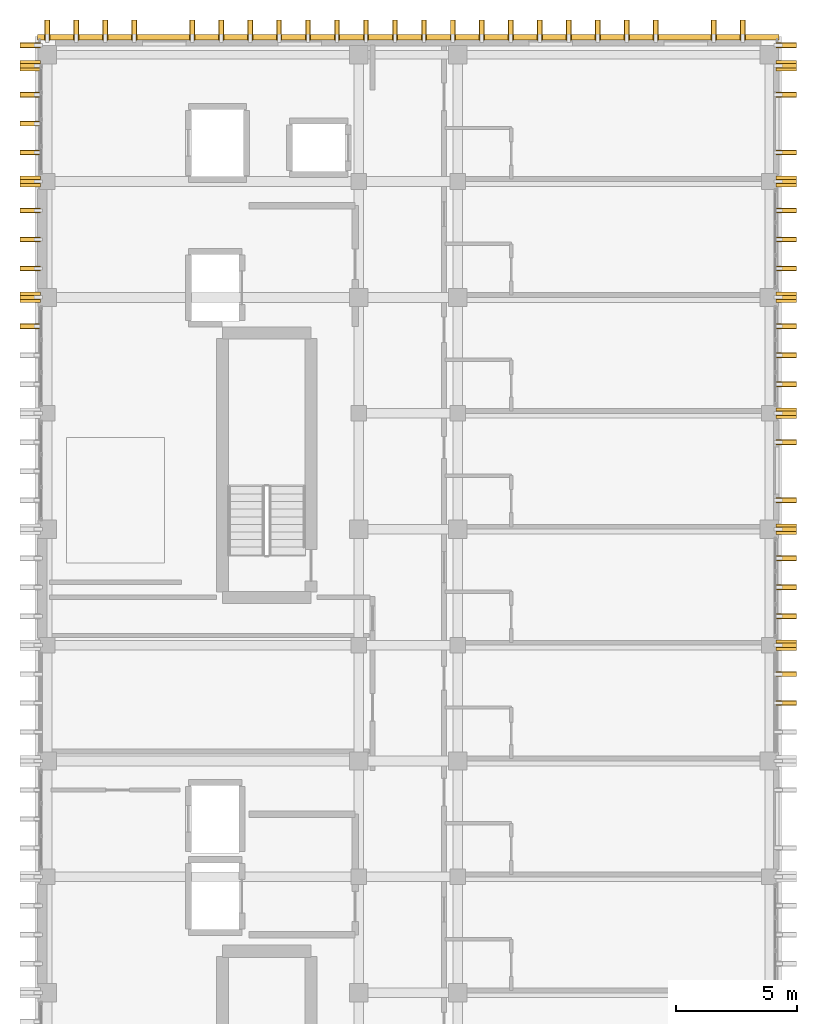
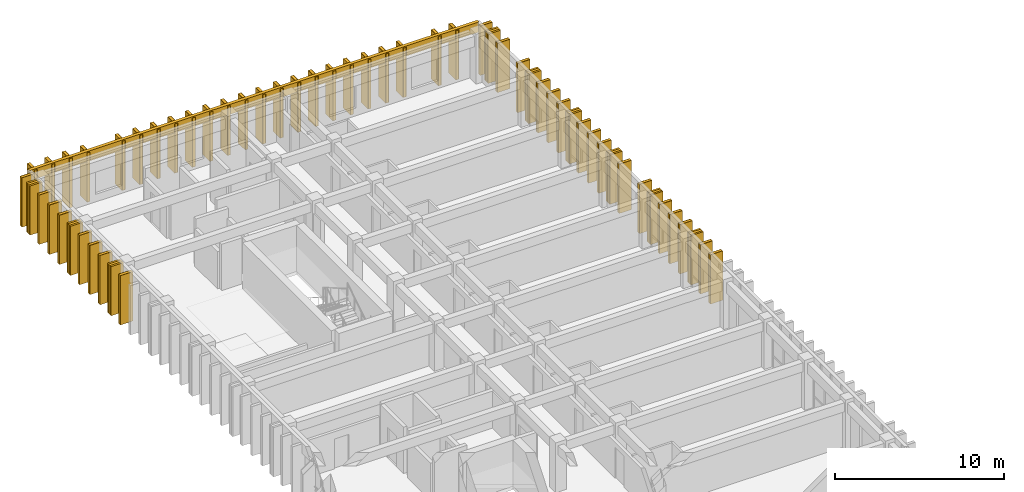
# One storey, part 64 of 64: 57 coverings, 56 shading devices.
"""IFC4 building model written with IfcOpenShell, lengths in metres."""

import ifcopenshell
import ifcopenshell.guid

model = None  # the IFC model being written
_history = None  # IfcOwnerHistory: only IFC2X3 demands one
_inside = {}  # id of a spatial element -> (the spatial element, [elements in it])
_under = {}  # id of a project, library or spatial element -> (it, [spatial elements below it])
_declared = {}  # id of a project -> (the project, [libraries it declares])
_typed = {}  # id of a type object -> (the type object, [elements of that type])
_made_of = {}  # id of a material, layer set ... -> (it, [elements and type objects made of it])


def new_model(schema):
    """Start an empty IFC model of exactly this schema.

    Asked for "IFC4X3", IfcOpenShell would pick the latest addendum, in which some entities
    have other attributes; the version numbers below select the first issue.
    IFC2X3 requires an IfcOwnerHistory on every rooted entity: one is made here for all.
    """
    global model, _history
    if schema == "IFC4X3":
        model = ifcopenshell.file(schema_version=(4, 3, 0, 0))
    else:
        model = ifcopenshell.file(schema=schema)
    _inside.clear()
    _under.clear()
    _declared.clear()
    _typed.clear()
    _made_of.clear()
    _history = None
    if model.schema == "IFC2X3":
        org = make("IfcOrganization", Name="unknown")
        user = make(
            "IfcPersonAndOrganization",
            ThePerson=make("IfcPerson", FamilyName="unknown"),
            TheOrganization=org,
        )
        app = make(
            "IfcApplication",
            ApplicationDeveloper=org,
            Version="unknown",
            ApplicationFullName="unknown",
            ApplicationIdentifier="unknown",
        )
        _history = make(
            "IfcOwnerHistory",
            OwningUser=user,
            OwningApplication=app,
            ChangeAction="ADDED",
            CreationDate=0,
        )
    return model


def make(cls, **values):
    """One entity of the class cls with the attributes given. An attribute that is None is left unset."""
    return model.create_entity(
        cls, **{name: value for name, value in values.items() if value is not None}
    )


def rooted(cls, **values):
    """An entity with a GlobalId (a new one), such as an element, a storey or a relation."""
    return make(cls, GlobalId=ifcopenshell.guid.new(), OwnerHistory=_history, **values)


def si_unit(unit_type, name, prefix=None):
    """IfcSIUnit, for example si_unit("LENGTHUNIT", "METRE", prefix="MILLI")."""
    return make("IfcSIUnit", UnitType=unit_type, Prefix=prefix, Name=name)


def assignment(units):
    """IfcUnitAssignment: the units of a project."""
    return None if units is None else make("IfcUnitAssignment", Units=units)


def point(xyz):
    """IfcCartesianPoint."""
    return None if xyz is None else make("IfcCartesianPoint", Coordinates=xyz)


def direction(xyz):
    """IfcDirection."""
    return None if xyz is None else make("IfcDirection", DirectionRatios=xyz)


def frame(location, z_axis=None, x_axis=None):
    """IfcAxis2Placement3D, a coordinate frame: its origin and axes. An axis left out is left unset."""
    return make(
        "IfcAxis2Placement3D",
        Location=point(location),
        Axis=direction(z_axis),
        RefDirection=direction(x_axis),
    )


def frame_2d(location, x_axis=None):
    """IfcAxis2Placement2D, a coordinate frame in the plane: its origin and x axis."""
    return make(
        "IfcAxis2Placement2D", Location=point(location), RefDirection=direction(x_axis)
    )


def origin():
    """The frame at (0, 0, 0) with its axes left unset."""
    return frame((0.0, 0.0, 0.0))


def origin_2d():
    """The frame at (0, 0) in the plane with its x axis left unset."""
    return frame_2d((0.0, 0.0))


def place(relative_to, where):
    """IfcLocalPlacement: puts the frame where relative to a parent placement (None: the world)."""
    return make(
        "IfcLocalPlacement", PlacementRelTo=relative_to, RelativePlacement=where
    )


def context(
    kind, dimensions, precision=None, world=None, true_north=None, identifier=None
):
    """IfcGeometricRepresentationContext, for example the 3D "Model" context."""
    return make(
        "IfcGeometricRepresentationContext",
        ContextIdentifier=identifier,
        ContextType=kind,
        CoordinateSpaceDimension=dimensions,
        Precision=precision,
        WorldCoordinateSystem=world,
        TrueNorth=true_north,
    )


def subcontext(parent, identifier, kind, view, scale=None):
    """IfcGeometricRepresentationSubContext, for example "Body" below "Model"."""
    return make(
        "IfcGeometricRepresentationSubContext",
        ContextIdentifier=identifier,
        ContextType=kind,
        ParentContext=parent,
        TargetScale=scale,
        TargetView=view,
    )


def project(units=None, contexts=None):
    """IfcProject with its units and contexts."""
    return rooted(
        "IfcProject",
        Name="project",
        RepresentationContexts=contexts,
        UnitsInContext=assignment(units),
    )


def spatial(cls, under=None, at=None, **own):
    """A site, building, storey or space (cls), placed at a placement, below another one or the project."""
    s = rooted(cls, ObjectPlacement=at, **own)
    if under is not None:
        _under.setdefault(under.id(), (under, []))[1].append(s)
    return s


def profile(cls, at=None, kind="AREA", **sizes):
    """A parametric profile (cls). Its sizes go by their IFC names, for example OverallWidth=200.0."""
    return make(cls, ProfileType=kind, Position=at, **sizes)


def rectangle(**sizes):
    """IfcRectangleProfileDef."""
    return profile("IfcRectangleProfileDef", **sizes)


def extrude(swept, where, along, depth):
    """IfcExtrudedAreaSolid: the profile swept, set in the frame where, extruded along a direction by depth."""
    return make(
        "IfcExtrudedAreaSolid",
        SweptArea=swept,
        Position=where,
        ExtrudedDirection=direction(along),
        Depth=depth,
    )


def shape(context_of_items, identifier, shape_type, items):
    """IfcShapeRepresentation: the items that make up one representation, for example the "Body"."""
    return make(
        "IfcShapeRepresentation",
        ContextOfItems=context_of_items,
        RepresentationIdentifier=identifier,
        RepresentationType=shape_type,
        Items=items,
    )


def material(Name=None, Category=None):
    """IfcMaterial."""
    return make("IfcMaterial", Name=Name, Category=Category)


def layer(
    of_material, thickness, ventilated=None, Name=None, Category=None, Priority=None
):
    """IfcMaterialLayer: one layer of a wall or slab, of a material (None: an air gap)."""
    return make(
        "IfcMaterialLayer",
        Material=of_material,
        LayerThickness=thickness,
        IsVentilated=ventilated,
        Name=Name,
        Category=Category,
        Priority=Priority,
    )


def layer_set(layers, Name=None):
    """IfcMaterialLayerSet."""
    return make("IfcMaterialLayerSet", MaterialLayers=layers, LayerSetName=Name)


def made_of(thing, what):
    """Note that an element or type object is made of a material, layer set ...; save() writes the relation."""
    if what is not None:
        _made_of.setdefault(what.id(), (what, []))[1].append(thing)
    return thing


def type_object(cls, material=None, **own):
    """A type object (cls), such as IfcWallType, which elements share."""
    return made_of(rooted(cls, **own), material)


def element(
    cls,
    number,
    at=None,
    inside=None,
    cuts=None,
    type_object=None,
    material=None,
    context=None,
    identifier="Body",
    shape_type=None,
    held_by="IfcProductDefinitionShape",
    body=None,
    shapes=None,
    **own,
):
    """One element of the class cls, such as IfcWall. Its Tag is "e" and its number.

    at: its placement. inside: the storey or other place that contains it. cuts: it is an
    opening in that element (IfcRelVoidsElement). A single representation is given by context,
    identifier, shape_type and body (its items); several are given by shapes. held_by: the class
    of the entity that holds the representations. save() writes the other relations.
    """
    e = rooted(cls, Tag="e%d" % number, ObjectPlacement=at, **own)
    if body is not None:
        shapes = [shape(context, identifier, shape_type, body)]
    if shapes is not None:
        e.Representation = make(held_by, Representations=shapes)
    if inside is not None:
        _inside.setdefault(inside.id(), (inside, []))[1].append(e)
    if cuts is not None:
        rooted(
            "IfcRelVoidsElement", RelatingBuildingElement=cuts, RelatedOpeningElement=e
        )
    if type_object is not None:
        _typed.setdefault(type_object.id(), (type_object, []))[1].append(e)
    return made_of(e, material)


def aggregate(whole, parts):
    """IfcRelAggregates: a whole, such as a stair, and the parts it consists of."""
    return rooted("IfcRelAggregates", RelatingObject=whole, RelatedObjects=parts)


def save(model, path):
    """Write the relations noted so far, then the file.

    IfcRelAggregates (storeys below a building ...), IfcRelContainedInSpatialStructure (elements
    in a storey), IfcRelDefinesByType, IfcRelAssociatesMaterial and IfcRelDeclares: one each for
    every whole, place, type object, material and project.
    """
    for whole, parts in _under.values():
        aggregate(whole, parts)
    for where, things in _inside.values():
        rooted(
            "IfcRelContainedInSpatialStructure",
            RelatedElements=things,
            RelatingStructure=where,
        )
    for kind, things in _typed.values():
        rooted("IfcRelDefinesByType", RelatedObjects=things, RelatingType=kind)
    for what, things in _made_of.values():
        rooted("IfcRelAssociatesMaterial", RelatedObjects=things, RelatingMaterial=what)
    for by, libraries in _declared.values():
        rooted("IfcRelDeclares", RelatingContext=by, RelatedDefinitions=libraries)
    model.write(path)


model = new_model("IFC4")

# Units and contexts
model_context = context("Model", 3, precision=1e-05, world=origin(), true_north=direction((0.0, 1.0)))
body_context = subcontext(model_context, "Body", "Model", "MODEL_VIEW")
ifc_project = project(units=[si_unit("LENGTHUNIT", "METRE"), si_unit("AREAUNIT", "SQUARE_METRE"), si_unit("VOLUMEUNIT", "CUBIC_METRE"), si_unit("PLANEANGLEUNIT", "RADIAN"), si_unit("MASSUNIT", "GRAM", prefix="KILO")], contexts=[model_context])

# Site, building, storey
site_placement = place(None, origin())
site = spatial("IfcSite", under=ifc_project, at=site_placement, CompositionType="ELEMENT")
building_placement = place(site_placement, origin())
building = spatial("IfcBuilding", under=site, at=building_placement, Name="Nakhvara Creek Congress Hotel", CompositionType="ELEMENT")
storey_placement = place(building_placement, frame((0.0, 0.0, 28.199951171875)))
storey = spatial("IfcBuildingStorey", under=building, at=storey_placement, Name="L06", CompositionType="ELEMENT", Elevation=28.199951171875)

# Coverings
ifc_material_1 = material(Name="Honed pale Omani limestone architectural cladding", Category="masonry")
ifc_layer_1 = layer(ifc_material_1, 0.219970703125)
ifc_layer_set_1 = layer_set([ifc_layer_1], Name="Honed pale Omani limestone architectural cladding")
covering_type_1 = type_object("IfcCoveringType", Name="COV-FIN-850", PredefinedType="CLADDING", material=ifc_layer_set_1)
for number, where, z_axis, x_axis, name in (
    (1, (180.054931640625, 98.39990234375, 0.0), (0.0, 0.0, 1.0), (0.0, 1.0, 0.0), "Pale Limestone Fin Cladding CF01-1714"),
    (2, (180.054931640625, 99.60009765625, 0.0), (0.0, 0.0, 1.0), (0.0, 1.0, 0.0), "Pale Limestone Fin Cladding CF01-1716"),
):
    element("IfcCovering", number, at=place(storey_placement, frame(where, z_axis=z_axis, x_axis=x_axis)), inside=storey, type_object=covering_type_1, Name=name, PredefinedType="CLADDING", context=body_context, shape_type="SweptSolid", body=[
        extrude(rectangle(XDim=0.219970703125, YDim=0.85009765625, at=origin_2d()), origin(), (0.0, 0.0, 1.0), 3.56005859375),
    ])
covering_1_placement = place(storey_placement, frame((180.054931640625, 100.800048828125, 0.0), z_axis=(0.0, 0.0, 1.0), x_axis=(0.0, 1.0, 0.0)))
element("IfcCovering", 3, at=covering_1_placement, inside=storey, type_object=covering_type_1, Name="Pale Limestone Fin Cladding CF01-1718", PredefinedType="CLADDING", context=body_context, shape_type="SweptSolid", body=[
    extrude(rectangle(XDim=0.43994140625, YDim=0.85009765625, at=origin_2d()), origin(), (0.0, 0.0, 1.0), 3.56005859375),
])
for number, where, z_axis, x_axis, name in (
    (4, (180.054931640625, 102.0, 0.0), (0.0, 0.0, 1.0), (0.0, 1.0, 0.0), "Pale Limestone Fin Cladding CF01-1720"),
    (5, (180.054931640625, 103.199951171875, 0.0), (0.0, 0.0, 1.0), (0.0, 1.0, 0.0), "Pale Limestone Fin Cladding CF01-1722"),
    (6, (180.054931640625, 104.39990234375, 0.0), (0.0, 0.0, 1.0), (0.0, 1.0, 0.0), "Pale Limestone Fin Cladding CF01-1724"),
):
    element("IfcCovering", number, at=place(storey_placement, frame(where, z_axis=z_axis, x_axis=x_axis)), inside=storey, type_object=covering_type_1, Name=name, PredefinedType="CLADDING", context=body_context, shape_type="SweptSolid", body=[
        extrude(rectangle(XDim=0.219970703125, YDim=0.85009765625, at=origin_2d()), origin(), (0.0, 0.0, 1.0), 3.56005859375),
    ])
covering_2_placement = place(storey_placement, frame((180.054931640625, 105.60009765625, 0.0), z_axis=(0.0, 0.0, 1.0), x_axis=(0.0, 1.0, 0.0)))
element("IfcCovering", 7, at=covering_2_placement, inside=storey, type_object=covering_type_1, Name="Pale Limestone Fin Cladding CF01-1726", PredefinedType="CLADDING", context=body_context, shape_type="SweptSolid", body=[
    extrude(rectangle(XDim=0.43994140625, YDim=0.85009765625, at=origin_2d()), origin(), (0.0, 0.0, 1.0), 3.56005859375),
])
for number, where, z_axis, x_axis, name in (
    (8, (180.054931640625, 106.800048828125, 0.0), (0.0, 0.0, 1.0), (0.0, 1.0, 0.0), "Pale Limestone Fin Cladding CF01-1728"),
    (9, (180.054931640625, 109.199951171875, 0.0), (0.0, 0.0, 1.0), (0.0, 1.0, 0.0), "Pale Limestone Fin Cladding CF01-1731"),
):
    element("IfcCovering", number, at=place(storey_placement, frame(where, z_axis=z_axis, x_axis=x_axis)), inside=storey, type_object=covering_type_1, Name=name, PredefinedType="CLADDING", context=body_context, shape_type="SweptSolid", body=[
        extrude(rectangle(XDim=0.219970703125, YDim=0.85009765625, at=origin_2d()), origin(), (0.0, 0.0, 1.0), 3.56005859375),
    ])
covering_3_placement = place(storey_placement, frame((180.054931640625, 110.39990234375, 0.0), z_axis=(0.0, 0.0, 1.0), x_axis=(0.0, 1.0, 0.0)))
element("IfcCovering", 10, at=covering_3_placement, inside=storey, type_object=covering_type_1, Name="Pale Limestone Fin Cladding CF01-1733", PredefinedType="CLADDING", context=body_context, shape_type="SweptSolid", body=[
    extrude(rectangle(XDim=0.43994140625, YDim=0.85009765625, at=origin_2d()), origin(), (0.0, 0.0, 1.0), 3.56005859375),
])
for number, where, z_axis, x_axis, name in (
    (11, (180.054931640625, 111.60009765625, 0.0), (0.0, 0.0, 1.0), (0.0, 1.0, 0.0), "Pale Limestone Fin Cladding CF01-1735"),
    (12, (180.054931640625, 112.800048828125, 0.0), (0.0, 0.0, 1.0), (0.0, 1.0, 0.0), "Pale Limestone Fin Cladding CF01-1737"),
    (13, (180.054931640625, 114.0, 0.0), (0.0, 0.0, 1.0), (0.0, 1.0, 0.0), "Pale Limestone Fin Cladding CF01-1739"),
    (14, (148.7451171875, 114.0, 0.0), (0.0, 0.0, 1.0), (0.0, 1.0, 0.0), "Pale Limestone Fin Cladding CF01-1740"),
):
    element("IfcCovering", number, at=place(storey_placement, frame(where, z_axis=z_axis, x_axis=x_axis)), inside=storey, type_object=covering_type_1, Name=name, PredefinedType="CLADDING", context=body_context, shape_type="SweptSolid", body=[
        extrude(rectangle(XDim=0.219970703125, YDim=0.85009765625, at=origin_2d()), origin(), (0.0, 0.0, 1.0), 3.56005859375),
    ])
for number, where, z_axis, x_axis, name in (
    (15, (180.054931640625, 115.199951171875, 0.0), (0.0, 0.0, 1.0), (0.0, 1.0, 0.0), "Pale Limestone Fin Cladding CF01-1741"),
    (16, (148.7451171875, 115.199951171875, 0.0), (0.0, 0.0, 1.0), (0.0, 1.0, 0.0), "Pale Limestone Fin Cladding CF01-1742"),
):
    element("IfcCovering", number, at=place(storey_placement, frame(where, z_axis=z_axis, x_axis=x_axis)), inside=storey, type_object=covering_type_1, Name=name, PredefinedType="CLADDING", context=body_context, shape_type="SweptSolid", body=[
        extrude(rectangle(XDim=0.43994140625, YDim=0.85009765625, at=origin_2d()), origin(), (0.0, 0.0, 1.0), 3.56005859375),
    ])
for number, where, z_axis, x_axis, name in (
    (17, (180.054931640625, 116.39990234375, 0.0), (0.0, 0.0, 1.0), (0.0, 1.0, 0.0), "Pale Limestone Fin Cladding CF01-1743"),
    (18, (148.7451171875, 116.39990234375, 0.0), (0.0, 0.0, 1.0), (0.0, 1.0, 0.0), "Pale Limestone Fin Cladding CF01-1744"),
    (19, (180.054931640625, 117.60009765625, 0.0), (0.0, 0.0, 1.0), (0.0, 1.0, 0.0), "Pale Limestone Fin Cladding CF01-1745"),
    (20, (148.7451171875, 117.60009765625, 0.0), (0.0, 0.0, 1.0), (0.0, 1.0, 0.0), "Pale Limestone Fin Cladding CF01-1746"),
    (21, (180.054931640625, 118.800048828125, 0.0), (0.0, 0.0, 1.0), (0.0, 1.0, 0.0), "Pale Limestone Fin Cladding CF01-1747"),
    (22, (148.7451171875, 118.800048828125, 0.0), (0.0, 0.0, 1.0), (0.0, 1.0, 0.0), "Pale Limestone Fin Cladding CF01-1748"),
):
    element("IfcCovering", number, at=place(storey_placement, frame(where, z_axis=z_axis, x_axis=x_axis)), inside=storey, type_object=covering_type_1, Name=name, PredefinedType="CLADDING", context=body_context, shape_type="SweptSolid", body=[
        extrude(rectangle(XDim=0.219970703125, YDim=0.85009765625, at=origin_2d()), origin(), (0.0, 0.0, 1.0), 3.56005859375),
    ])
for number, where, z_axis, x_axis, name in (
    (23, (180.054931640625, 120.0, 0.0), (0.0, 0.0, 1.0), (0.0, 1.0, 0.0), "Pale Limestone Fin Cladding CF01-1749"),
    (24, (148.7451171875, 120.0, 0.0), (0.0, 0.0, 1.0), (0.0, 1.0, 0.0), "Pale Limestone Fin Cladding CF01-1750"),
):
    element("IfcCovering", number, at=place(storey_placement, frame(where, z_axis=z_axis, x_axis=x_axis)), inside=storey, type_object=covering_type_1, Name=name, PredefinedType="CLADDING", context=body_context, shape_type="SweptSolid", body=[
        extrude(rectangle(XDim=0.43994140625, YDim=0.85009765625, at=origin_2d()), origin(), (0.0, 0.0, 1.0), 3.56005859375),
    ])
for number, where, z_axis, x_axis, name in (
    (25, (180.054931640625, 121.199951171875, 0.0), (0.0, 0.0, 1.0), (0.0, 1.0, 0.0), "Pale Limestone Fin Cladding CF01-1751"),
    (26, (148.7451171875, 121.199951171875, 0.0), (0.0, 0.0, 1.0), (0.0, 1.0, 0.0), "Pale Limestone Fin Cladding CF01-1752"),
    (27, (148.7451171875, 122.39990234375, 0.0), (0.0, 0.0, 1.0), (0.0, 1.0, 0.0), "Pale Limestone Fin Cladding CF01-1753"),
    (28, (180.054931640625, 123.60009765625, 0.0), (0.0, 0.0, 1.0), (0.0, 1.0, 0.0), "Pale Limestone Fin Cladding CF01-1754"),
    (29, (148.7451171875, 123.60009765625, 0.0), (0.0, 0.0, 1.0), (0.0, 1.0, 0.0), "Pale Limestone Fin Cladding CF01-1755"),
):
    element("IfcCovering", number, at=place(storey_placement, frame(where, z_axis=z_axis, x_axis=x_axis)), inside=storey, type_object=covering_type_1, Name=name, PredefinedType="CLADDING", context=body_context, shape_type="SweptSolid", body=[
        extrude(rectangle(XDim=0.219970703125, YDim=0.85009765625, at=origin_2d()), origin(), (0.0, 0.0, 1.0), 3.56005859375),
    ])
for number, where, z_axis, x_axis, name in (
    (30, (180.054931640625, 124.800048828125, 0.0), (0.0, 0.0, 1.0), (0.0, 1.0, 0.0), "Pale Limestone Fin Cladding CF01-1756"),
    (31, (148.7451171875, 124.800048828125, 0.0), (0.0, 0.0, 1.0), (0.0, 1.0, 0.0), "Pale Limestone Fin Cladding CF01-1757"),
):
    element("IfcCovering", number, at=place(storey_placement, frame(where, z_axis=z_axis, x_axis=x_axis)), inside=storey, type_object=covering_type_1, Name=name, PredefinedType="CLADDING", context=body_context, shape_type="SweptSolid", body=[
        extrude(rectangle(XDim=0.43994140625, YDim=0.85009765625, at=origin_2d()), origin(), (0.0, 0.0, 1.0), 3.56005859375),
    ])
for number, where, z_axis, x_axis, name in (
    (32, (180.054931640625, 125.64990234375, 0.0), (0.0, 0.0, 1.0), (0.0, 1.0, 0.0), "Pale Limestone Fin Cladding CF01-1758"),
    (33, (148.7451171875, 125.64990234375, 0.0), (0.0, 0.0, 1.0), (0.0, 1.0, 0.0), "Pale Limestone Fin Cladding CF01-1759"),
    (34, (149.449951171875, 126.264892578125, 0.0), (0.0, 0.0, 1.0), (1.0, 0.0, 0.0), "Pale Limestone Fin Cladding CF01-1760"),
    (35, (150.64990234375, 126.264892578125, 0.0), (0.0, 0.0, 1.0), (1.0, 0.0, 0.0), "Pale Limestone Fin Cladding CF01-1762"),
    (36, (151.85009765625, 126.264892578125, 0.0), (0.0, 0.0, 1.0), (1.0, 0.0, 0.0), "Pale Limestone Fin Cladding CF01-1764"),
    (37, (153.050048828125, 126.264892578125, 0.0), (0.0, 0.0, 1.0), (1.0, 0.0, 0.0), "Pale Limestone Fin Cladding CF01-1766"),
    (38, (155.449951171875, 126.264892578125, 0.0), (0.0, 0.0, 1.0), (1.0, 0.0, 0.0), "Pale Limestone Fin Cladding CF01-1769"),
    (39, (156.64990234375, 126.264892578125, 0.0), (0.0, 0.0, 1.0), (1.0, 0.0, 0.0), "Pale Limestone Fin Cladding CF01-1771"),
    (40, (157.85009765625, 126.264892578125, 0.0), (0.0, 0.0, 1.0), (1.0, 0.0, 0.0), "Pale Limestone Fin Cladding CF01-1773"),
    (41, (159.050048828125, 126.264892578125, 0.0), (0.0, 0.0, 1.0), (1.0, 0.0, 0.0), "Pale Limestone Fin Cladding CF01-1775"),
    (42, (160.25, 126.264892578125, 0.0), (0.0, 0.0, 1.0), (1.0, 0.0, 0.0), "Pale Limestone Fin Cladding CF01-1777"),
    (43, (161.449951171875, 126.264892578125, 0.0), (0.0, 0.0, 1.0), (1.0, 0.0, 0.0), "Pale Limestone Fin Cladding CF01-1779"),
    (44, (162.64990234375, 126.264892578125, 0.0), (0.0, 0.0, 1.0), (1.0, 0.0, 0.0), "Pale Limestone Fin Cladding CF01-1781"),
    (45, (163.85009765625, 126.264892578125, 0.0), (0.0, 0.0, 1.0), (1.0, 0.0, 0.0), "Pale Limestone Fin Cladding CF01-1783"),
    (46, (165.050048828125, 126.264892578125, 0.0), (0.0, 0.0, 1.0), (1.0, 0.0, 0.0), "Pale Limestone Fin Cladding CF01-1784"),
    (47, (166.25, 126.264892578125, 0.0), (0.0, 0.0, 1.0), (1.0, 0.0, 0.0), "Pale Limestone Fin Cladding CF01-1785"),
    (48, (167.449951171875, 126.264892578125, 0.0), (0.0, 0.0, 1.0), (1.0, 0.0, 0.0), "Pale Limestone Fin Cladding CF01-1787"),
    (49, (168.64990234375, 126.264892578125, 0.0), (0.0, 0.0, 1.0), (1.0, 0.0, 0.0), "Pale Limestone Fin Cladding CF01-1789"),
    (50, (169.85009765625, 126.264892578125, 0.0), (0.0, 0.0, 1.0), (1.0, 0.0, 0.0), "Pale Limestone Fin Cladding CF01-1790"),
    (51, (171.050048828125, 126.264892578125, 0.0), (0.0, 0.0, 1.0), (1.0, 0.0, 0.0), "Pale Limestone Fin Cladding CF01-1792"),
    (52, (172.25, 126.264892578125, 0.0), (0.0, 0.0, 1.0), (1.0, 0.0, 0.0), "Pale Limestone Fin Cladding CF01-1794"),
    (53, (173.449951171875, 126.264892578125, 0.0), (0.0, 0.0, 1.0), (1.0, 0.0, 0.0), "Pale Limestone Fin Cladding CF01-1796"),
    (54, (174.64990234375, 126.264892578125, 0.0), (0.0, 0.0, 1.0), (1.0, 0.0, 0.0), "Pale Limestone Fin Cladding CF01-1798"),
    (55, (177.050048828125, 126.264892578125, 0.0), (0.0, 0.0, 1.0), (1.0, 0.0, 0.0), "Pale Limestone Fin Cladding CF01-1801"),
    (56, (178.25, 126.264892578125, 0.0), (0.0, 0.0, 1.0), (1.0, 0.0, 0.0), "Pale Limestone Fin Cladding CF01-1803"),
):
    element("IfcCovering", number, at=place(storey_placement, frame(where, z_axis=z_axis, x_axis=x_axis)), inside=storey, type_object=covering_type_1, Name=name, PredefinedType="CLADDING", context=body_context, shape_type="SweptSolid", body=[
        extrude(rectangle(XDim=0.219970703125, YDim=0.85009765625, at=origin_2d()), origin(), (0.0, 0.0, 1.0), 3.56005859375),
    ])
ifc_layer_2 = layer(ifc_material_1, 0.179931640625)
ifc_layer_set_2 = layer_set([ifc_layer_2], Name="Honed pale Omani limestone architectural cladding")
covering_type_2 = type_object("IfcCoveringType", Name="COV-SPN-180", PredefinedType="CLADDING", material=ifc_layer_set_2)
covering_4_placement = place(storey_placement, frame((164.39990234375, 125.969970703125, 2.91015625), z_axis=(0.0, 0.0, 1.0), x_axis=(1.0, 0.0, 0.0)))
element("IfcCovering", 57, at=covering_4_placement, inside=storey, type_object=covering_type_2, Name="Pale Limestone Spandrel Band CF02-0067", PredefinedType="CLADDING", context=body_context, shape_type="SweptSolid", body=[
    extrude(rectangle(XDim=30.699951171875, YDim=0.219970703125, at=origin_2d()), origin(), (0.0, 0.0, 1.0), 0.72998046875),
])

# Shading devices
ifc_material_2 = material(Name="Honed pale Omani limestone cladding on stainless steel spine", Category="masonry")
shading_device_type = type_object("IfcShadingDeviceType", Name="SHD-FIN-850X3600", PredefinedType="USERDEFINED", material=ifc_material_2)
for number, where, z_axis, x_axis, name in (
    (58, (180.054931640625, 98.39990234375, 0.0), (0.0, 0.0, 1.0), (0.0, 1.0, 0.0), "Limestone Solar Fin FN01-1579"),
    (59, (180.054931640625, 99.60009765625, 0.0), (0.0, 0.0, 1.0), (0.0, 1.0, 0.0), "Limestone Solar Fin FN01-1581"),
    (60, (180.054931640625, 100.800048828125, 0.0), (0.0, 0.0, 1.0), (0.0, 1.0, 0.0), "Limestone Solar Fin FN01-1583"),
    (61, (180.054931640625, 102.0, 0.0), (0.0, 0.0, 1.0), (0.0, 1.0, 0.0), "Limestone Solar Fin FN01-1585"),
    (62, (180.054931640625, 103.199951171875, 0.0), (0.0, 0.0, 1.0), (0.0, 1.0, 0.0), "Limestone Solar Fin FN01-1587"),
    (63, (180.054931640625, 104.39990234375, 0.0), (0.0, 0.0, 1.0), (0.0, 1.0, 0.0), "Limestone Solar Fin FN01-1589"),
    (64, (180.054931640625, 105.60009765625, 0.0), (0.0, 0.0, 1.0), (0.0, 1.0, 0.0), "Limestone Solar Fin FN01-1591"),
    (65, (180.054931640625, 106.800048828125, 0.0), (0.0, 0.0, 1.0), (0.0, 1.0, 0.0), "Limestone Solar Fin FN01-1593"),
    (66, (180.054931640625, 109.199951171875, 0.0), (0.0, 0.0, 1.0), (0.0, 1.0, 0.0), "Limestone Solar Fin FN01-1596"),
    (67, (180.054931640625, 110.39990234375, 0.0), (0.0, 0.0, 1.0), (0.0, 1.0, 0.0), "Limestone Solar Fin FN01-1598"),
    (68, (180.054931640625, 111.60009765625, 0.0), (0.0, 0.0, 1.0), (0.0, 1.0, 0.0), "Limestone Solar Fin FN01-1600"),
    (69, (180.054931640625, 112.800048828125, 0.0), (0.0, 0.0, 1.0), (0.0, 1.0, 0.0), "Limestone Solar Fin FN01-1602"),
    (70, (180.054931640625, 114.0, 0.0), (0.0, 0.0, 1.0), (0.0, 1.0, 0.0), "Limestone Solar Fin FN01-1604"),
    (71, (148.7451171875, 114.0, 0.0), (0.0, 0.0, 1.0), (0.0, 1.0, 0.0), "Limestone Solar Fin FN01-1605"),
    (72, (180.054931640625, 115.199951171875, 0.0), (0.0, 0.0, 1.0), (0.0, 1.0, 0.0), "Limestone Solar Fin FN01-1606"),
    (73, (148.7451171875, 115.199951171875, 0.0), (0.0, 0.0, 1.0), (0.0, 1.0, 0.0), "Limestone Solar Fin FN01-1607"),
    (74, (180.054931640625, 116.39990234375, 0.0), (0.0, 0.0, 1.0), (0.0, 1.0, 0.0), "Limestone Solar Fin FN01-1608"),
    (75, (148.7451171875, 116.39990234375, 0.0), (0.0, 0.0, 1.0), (0.0, 1.0, 0.0), "Limestone Solar Fin FN01-1609"),
    (76, (180.054931640625, 117.60009765625, 0.0), (0.0, 0.0, 1.0), (0.0, 1.0, 0.0), "Limestone Solar Fin FN01-1610"),
    (77, (148.7451171875, 117.60009765625, 0.0), (0.0, 0.0, 1.0), (0.0, 1.0, 0.0), "Limestone Solar Fin FN01-1611"),
    (78, (180.054931640625, 118.800048828125, 0.0), (0.0, 0.0, 1.0), (0.0, 1.0, 0.0), "Limestone Solar Fin FN01-1612"),
    (79, (148.7451171875, 118.800048828125, 0.0), (0.0, 0.0, 1.0), (0.0, 1.0, 0.0), "Limestone Solar Fin FN01-1613"),
    (80, (180.054931640625, 120.0, 0.0), (0.0, 0.0, 1.0), (0.0, 1.0, 0.0), "Limestone Solar Fin FN01-1614"),
    (81, (148.7451171875, 120.0, 0.0), (0.0, 0.0, 1.0), (0.0, 1.0, 0.0), "Limestone Solar Fin FN01-1615"),
    (82, (180.054931640625, 121.199951171875, 0.0), (0.0, 0.0, 1.0), (0.0, 1.0, 0.0), "Limestone Solar Fin FN01-1616"),
    (83, (148.7451171875, 121.199951171875, 0.0), (0.0, 0.0, 1.0), (0.0, 1.0, 0.0), "Limestone Solar Fin FN01-1617"),
    (84, (148.7451171875, 122.39990234375, 0.0), (0.0, 0.0, 1.0), (0.0, 1.0, 0.0), "Limestone Solar Fin FN01-1618"),
    (85, (180.054931640625, 123.60009765625, 0.0), (0.0, 0.0, 1.0), (0.0, 1.0, 0.0), "Limestone Solar Fin FN01-1619"),
    (86, (148.7451171875, 123.60009765625, 0.0), (0.0, 0.0, 1.0), (0.0, 1.0, 0.0), "Limestone Solar Fin FN01-1620"),
    (87, (180.054931640625, 124.800048828125, 0.0), (0.0, 0.0, 1.0), (0.0, 1.0, 0.0), "Limestone Solar Fin FN01-1621"),
    (88, (148.7451171875, 124.800048828125, 0.0), (0.0, 0.0, 1.0), (0.0, 1.0, 0.0), "Limestone Solar Fin FN01-1622"),
    (89, (180.054931640625, 125.64990234375, 0.0), (0.0, 0.0, 1.0), (0.0, 1.0, 0.0), "Limestone Solar Fin FN01-1623"),
    (90, (148.7451171875, 125.64990234375, 0.0), (0.0, 0.0, 1.0), (0.0, 1.0, 0.0), "Limestone Solar Fin FN01-1624"),
    (91, (149.449951171875, 126.264892578125, 0.0), (0.0, 0.0, 1.0), (1.0, 0.0, 0.0), "Limestone Solar Fin FN01-1625"),
    (92, (150.64990234375, 126.264892578125, 0.0), (0.0, 0.0, 1.0), (1.0, 0.0, 0.0), "Limestone Solar Fin FN01-1627"),
    (93, (151.85009765625, 126.264892578125, 0.0), (0.0, 0.0, 1.0), (1.0, 0.0, 0.0), "Limestone Solar Fin FN01-1629"),
    (94, (153.050048828125, 126.264892578125, 0.0), (0.0, 0.0, 1.0), (1.0, 0.0, 0.0), "Limestone Solar Fin FN01-1631"),
    (95, (155.449951171875, 126.264892578125, 0.0), (0.0, 0.0, 1.0), (1.0, 0.0, 0.0), "Limestone Solar Fin FN01-1634"),
    (96, (156.64990234375, 126.264892578125, 0.0), (0.0, 0.0, 1.0), (1.0, 0.0, 0.0), "Limestone Solar Fin FN01-1636"),
    (97, (157.85009765625, 126.264892578125, 0.0), (0.0, 0.0, 1.0), (1.0, 0.0, 0.0), "Limestone Solar Fin FN01-1638"),
    (98, (159.050048828125, 126.264892578125, 0.0), (0.0, 0.0, 1.0), (1.0, 0.0, 0.0), "Limestone Solar Fin FN01-1640"),
    (99, (160.25, 126.264892578125, 0.0), (0.0, 0.0, 1.0), (1.0, 0.0, 0.0), "Limestone Solar Fin FN01-1642"),
    (100, (161.449951171875, 126.264892578125, 0.0), (0.0, 0.0, 1.0), (1.0, 0.0, 0.0), "Limestone Solar Fin FN01-1644"),
    (101, (162.64990234375, 126.264892578125, 0.0), (0.0, 0.0, 1.0), (1.0, 0.0, 0.0), "Limestone Solar Fin FN01-1646"),
    (102, (163.85009765625, 126.264892578125, 0.0), (0.0, 0.0, 1.0), (1.0, 0.0, 0.0), "Limestone Solar Fin FN01-1648"),
    (103, (165.050048828125, 126.264892578125, 0.0), (0.0, 0.0, 1.0), (1.0, 0.0, 0.0), "Limestone Solar Fin FN01-1649"),
    (104, (166.25, 126.264892578125, 0.0), (0.0, 0.0, 1.0), (1.0, 0.0, 0.0), "Limestone Solar Fin FN01-1650"),
    (105, (167.449951171875, 126.264892578125, 0.0), (0.0, 0.0, 1.0), (1.0, 0.0, 0.0), "Limestone Solar Fin FN01-1652"),
    (106, (168.64990234375, 126.264892578125, 0.0), (0.0, 0.0, 1.0), (1.0, 0.0, 0.0), "Limestone Solar Fin FN01-1654"),
    (107, (169.85009765625, 126.264892578125, 0.0), (0.0, 0.0, 1.0), (1.0, 0.0, 0.0), "Limestone Solar Fin FN01-1655"),
    (108, (171.050048828125, 126.264892578125, 0.0), (0.0, 0.0, 1.0), (1.0, 0.0, 0.0), "Limestone Solar Fin FN01-1657"),
    (109, (172.25, 126.264892578125, 0.0), (0.0, 0.0, 1.0), (1.0, 0.0, 0.0), "Limestone Solar Fin FN01-1659"),
    (110, (173.449951171875, 126.264892578125, 0.0), (0.0, 0.0, 1.0), (1.0, 0.0, 0.0), "Limestone Solar Fin FN01-1661"),
    (111, (174.64990234375, 126.264892578125, 0.0), (0.0, 0.0, 1.0), (1.0, 0.0, 0.0), "Limestone Solar Fin FN01-1663"),
    (112, (177.050048828125, 126.264892578125, 0.0), (0.0, 0.0, 1.0), (1.0, 0.0, 0.0), "Limestone Solar Fin FN01-1666"),
    (113, (178.25, 126.264892578125, 0.0), (0.0, 0.0, 1.0), (1.0, 0.0, 0.0), "Limestone Solar Fin FN01-1668"),
):
    element("IfcShadingDevice", number, at=place(storey_placement, frame(where, z_axis=z_axis, x_axis=x_axis)), inside=storey, type_object=shading_device_type, Name=name, ObjectType="FIN", PredefinedType="USERDEFINED", context=body_context, shape_type="SweptSolid", body=[
        extrude(rectangle(XDim=0.179931640625, YDim=0.85009765625, at=origin_2d()), origin(), (0.0, 0.0, 1.0), 3.56005859375),
    ])

save(model, "model.ifc")
